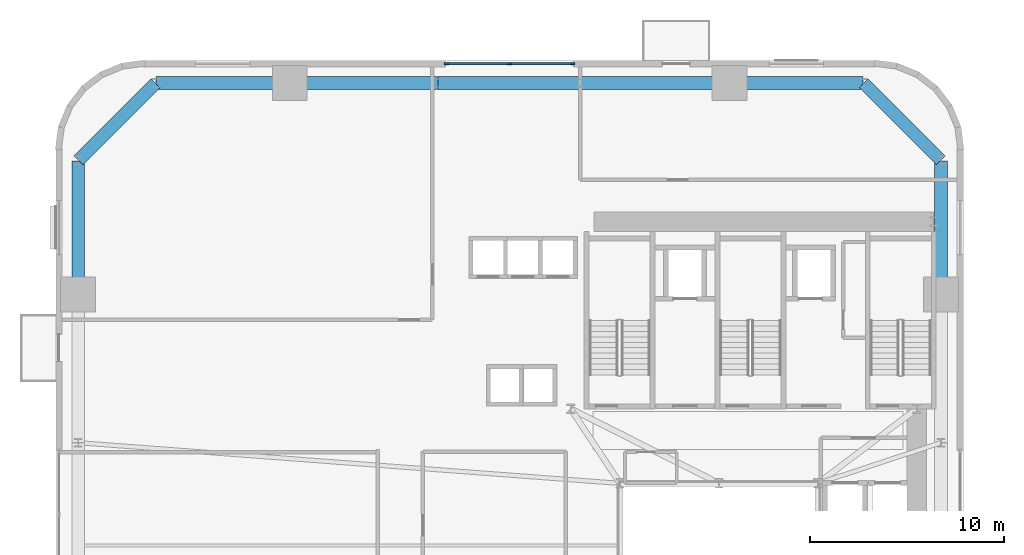
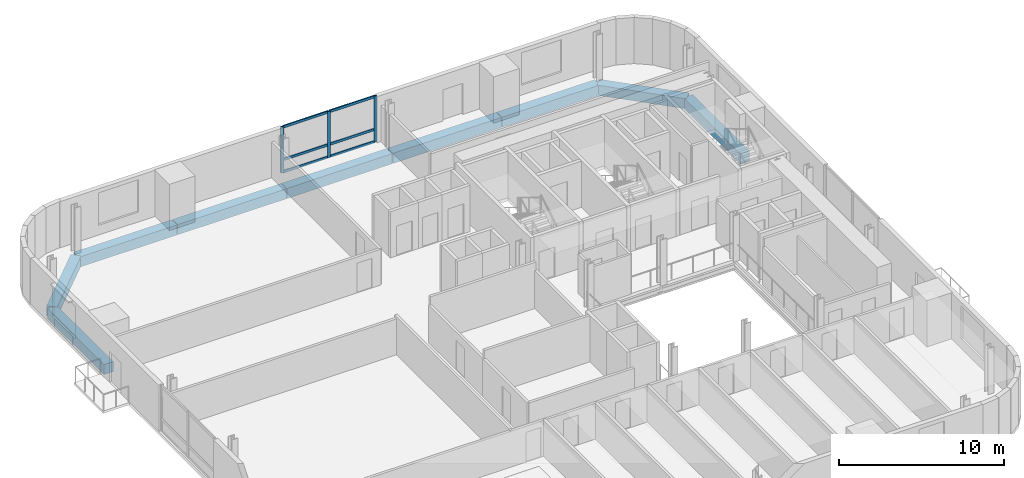
# One storey, part 4 of 13: 9 beams, 9 members, 1 element without a shape of its own.
"""IFC4 building model written with IfcOpenShell, lengths in metres."""

import ifcopenshell
import ifcopenshell.guid

model = None  # the IFC model being written
_history = None  # IfcOwnerHistory: only IFC2X3 demands one
_inside = {}  # id of a spatial element -> (the spatial element, [elements in it])
_under = {}  # id of a project, library or spatial element -> (it, [spatial elements below it])
_declared = {}  # id of a project -> (the project, [libraries it declares])
_typed = {}  # id of a type object -> (the type object, [elements of that type])
_made_of = {}  # id of a material, layer set ... -> (it, [elements and type objects made of it])


def new_model(schema):
    """Start an empty IFC model of exactly this schema.

    Asked for "IFC4X3", IfcOpenShell would pick the latest addendum, in which some entities
    have other attributes; the version numbers below select the first issue.
    IFC2X3 requires an IfcOwnerHistory on every rooted entity: one is made here for all.
    """
    global model, _history
    if schema == "IFC4X3":
        model = ifcopenshell.file(schema_version=(4, 3, 0, 0))
    else:
        model = ifcopenshell.file(schema=schema)
    _inside.clear()
    _under.clear()
    _declared.clear()
    _typed.clear()
    _made_of.clear()
    _history = None
    if model.schema == "IFC2X3":
        org = make("IfcOrganization", Name="unknown")
        user = make(
            "IfcPersonAndOrganization",
            ThePerson=make("IfcPerson", FamilyName="unknown"),
            TheOrganization=org,
        )
        app = make(
            "IfcApplication",
            ApplicationDeveloper=org,
            Version="unknown",
            ApplicationFullName="unknown",
            ApplicationIdentifier="unknown",
        )
        _history = make(
            "IfcOwnerHistory",
            OwningUser=user,
            OwningApplication=app,
            ChangeAction="ADDED",
            CreationDate=0,
        )
    return model


def make(cls, **values):
    """One entity of the class cls with the attributes given. An attribute that is None is left unset."""
    return model.create_entity(
        cls, **{name: value for name, value in values.items() if value is not None}
    )


def rooted(cls, **values):
    """An entity with a GlobalId (a new one), such as an element, a storey or a relation."""
    return make(cls, GlobalId=ifcopenshell.guid.new(), OwnerHistory=_history, **values)


def si_unit(unit_type, name, prefix=None):
    """IfcSIUnit, for example si_unit("LENGTHUNIT", "METRE", prefix="MILLI")."""
    return make("IfcSIUnit", UnitType=unit_type, Prefix=prefix, Name=name)


def assignment(units):
    """IfcUnitAssignment: the units of a project."""
    return None if units is None else make("IfcUnitAssignment", Units=units)


def point(xyz):
    """IfcCartesianPoint."""
    return None if xyz is None else make("IfcCartesianPoint", Coordinates=xyz)


def direction(xyz):
    """IfcDirection."""
    return None if xyz is None else make("IfcDirection", DirectionRatios=xyz)


def frame(location, z_axis=None, x_axis=None):
    """IfcAxis2Placement3D, a coordinate frame: its origin and axes. An axis left out is left unset."""
    return make(
        "IfcAxis2Placement3D",
        Location=point(location),
        Axis=direction(z_axis),
        RefDirection=direction(x_axis),
    )


def frame_2d(location, x_axis=None):
    """IfcAxis2Placement2D, a coordinate frame in the plane: its origin and x axis."""
    return make(
        "IfcAxis2Placement2D", Location=point(location), RefDirection=direction(x_axis)
    )


def origin():
    """The frame at (0, 0, 0) with its axes left unset."""
    return frame((0.0, 0.0, 0.0))


def origin_2d():
    """The frame at (0, 0) in the plane with its x axis left unset."""
    return frame_2d((0.0, 0.0))


def place(relative_to, where):
    """IfcLocalPlacement: puts the frame where relative to a parent placement (None: the world)."""
    return make(
        "IfcLocalPlacement", PlacementRelTo=relative_to, RelativePlacement=where
    )


def context(
    kind, dimensions, precision=None, world=None, true_north=None, identifier=None
):
    """IfcGeometricRepresentationContext, for example the 3D "Model" context."""
    return make(
        "IfcGeometricRepresentationContext",
        ContextIdentifier=identifier,
        ContextType=kind,
        CoordinateSpaceDimension=dimensions,
        Precision=precision,
        WorldCoordinateSystem=world,
        TrueNorth=true_north,
    )


def subcontext(parent, identifier, kind, view, scale=None):
    """IfcGeometricRepresentationSubContext, for example "Body" below "Model"."""
    return make(
        "IfcGeometricRepresentationSubContext",
        ContextIdentifier=identifier,
        ContextType=kind,
        ParentContext=parent,
        TargetScale=scale,
        TargetView=view,
    )


def project(units=None, contexts=None):
    """IfcProject with its units and contexts."""
    return rooted(
        "IfcProject",
        Name="project",
        RepresentationContexts=contexts,
        UnitsInContext=assignment(units),
    )


def spatial(cls, under=None, at=None, **own):
    """A site, building, storey or space (cls), placed at a placement, below another one or the project."""
    s = rooted(cls, ObjectPlacement=at, **own)
    if under is not None:
        _under.setdefault(under.id(), (under, []))[1].append(s)
    return s


def profile(cls, at=None, kind="AREA", **sizes):
    """A parametric profile (cls). Its sizes go by their IFC names, for example OverallWidth=200.0."""
    return make(cls, ProfileType=kind, Position=at, **sizes)


def rectangle(**sizes):
    """IfcRectangleProfileDef."""
    return profile("IfcRectangleProfileDef", **sizes)


def extrude(swept, where, along, depth):
    """IfcExtrudedAreaSolid: the profile swept, set in the frame where, extruded along a direction by depth."""
    return make(
        "IfcExtrudedAreaSolid",
        SweptArea=swept,
        Position=where,
        ExtrudedDirection=direction(along),
        Depth=depth,
    )


def shape(context_of_items, identifier, shape_type, items):
    """IfcShapeRepresentation: the items that make up one representation, for example the "Body"."""
    return make(
        "IfcShapeRepresentation",
        ContextOfItems=context_of_items,
        RepresentationIdentifier=identifier,
        RepresentationType=shape_type,
        Items=items,
    )


def source(mapping_origin, context_of_items, identifier, shape_type, items):
    """IfcRepresentationMap: a shape defined once, which mapped items show again and again."""
    return make(
        "IfcRepresentationMap",
        MappingOrigin=mapping_origin,
        MappedRepresentation=shape(context_of_items, identifier, shape_type, items),
    )


def transform(
    local_origin,
    x_axis=None,
    y_axis=None,
    z_axis=None,
    scale=None,
    scale2=None,
    scale3=None,
    uniform=True,
):
    """IfcCartesianTransformationOperator3D, or its non-uniform kind. x_axis, y_axis, z_axis: its Axis1, 2, 3."""
    if uniform:
        return make(
            "IfcCartesianTransformationOperator3D",
            Axis1=direction(x_axis),
            Axis2=direction(y_axis),
            LocalOrigin=point(local_origin),
            Scale=scale,
            Axis3=direction(z_axis),
        )
    return make(
        "IfcCartesianTransformationOperator3DnonUniform",
        Axis1=direction(x_axis),
        Axis2=direction(y_axis),
        LocalOrigin=point(local_origin),
        Scale=scale,
        Axis3=direction(z_axis),
        Scale2=scale2,
        Scale3=scale3,
    )


def mapped(mapping_source, mapping_target):
    """IfcMappedItem: shows the shape of a source again, moved by a transform."""
    return make(
        "IfcMappedItem", MappingSource=mapping_source, MappingTarget=mapping_target
    )


def material(Name=None, Category=None):
    """IfcMaterial."""
    return make("IfcMaterial", Name=Name, Category=Category)


def material_profile(
    of_material, cross_section, Name=None, Category=None, Priority=None
):
    """IfcMaterialProfile: a cross section and its material."""
    return make(
        "IfcMaterialProfile",
        Name=Name,
        Material=of_material,
        Profile=cross_section,
        Priority=Priority,
        Category=Category,
    )


def profile_set(profiles, Name=None, composite=None):
    """IfcMaterialProfileSet."""
    return make(
        "IfcMaterialProfileSet",
        Name=Name,
        MaterialProfiles=profiles,
        CompositeProfile=composite,
    )


def made_of(thing, what):
    """Note that an element or type object is made of a material, layer set ...; save() writes the relation."""
    if what is not None:
        _made_of.setdefault(what.id(), (what, []))[1].append(thing)
    return thing


def type_object(cls, material=None, **own):
    """A type object (cls), such as IfcWallType, which elements share."""
    return made_of(rooted(cls, **own), material)


def element(
    cls,
    number,
    at=None,
    inside=None,
    cuts=None,
    type_object=None,
    material=None,
    context=None,
    identifier="Body",
    shape_type=None,
    held_by="IfcProductDefinitionShape",
    body=None,
    shapes=None,
    **own,
):
    """One element of the class cls, such as IfcWall. Its Tag is "e" and its number.

    at: its placement. inside: the storey or other place that contains it. cuts: it is an
    opening in that element (IfcRelVoidsElement). A single representation is given by context,
    identifier, shape_type and body (its items); several are given by shapes. held_by: the class
    of the entity that holds the representations. save() writes the other relations.
    """
    e = rooted(cls, Tag="e%d" % number, ObjectPlacement=at, **own)
    if body is not None:
        shapes = [shape(context, identifier, shape_type, body)]
    if shapes is not None:
        e.Representation = make(held_by, Representations=shapes)
    if inside is not None:
        _inside.setdefault(inside.id(), (inside, []))[1].append(e)
    if cuts is not None:
        rooted(
            "IfcRelVoidsElement", RelatingBuildingElement=cuts, RelatedOpeningElement=e
        )
    if type_object is not None:
        _typed.setdefault(type_object.id(), (type_object, []))[1].append(e)
    return made_of(e, material)


def aggregate(whole, parts):
    """IfcRelAggregates: a whole, such as a stair, and the parts it consists of."""
    return rooted("IfcRelAggregates", RelatingObject=whole, RelatedObjects=parts)


def save(model, path):
    """Write the relations noted so far, then the file.

    IfcRelAggregates (storeys below a building ...), IfcRelContainedInSpatialStructure (elements
    in a storey), IfcRelDefinesByType, IfcRelAssociatesMaterial and IfcRelDeclares: one each for
    every whole, place, type object, material and project.
    """
    for whole, parts in _under.values():
        aggregate(whole, parts)
    for where, things in _inside.values():
        rooted(
            "IfcRelContainedInSpatialStructure",
            RelatedElements=things,
            RelatingStructure=where,
        )
    for kind, things in _typed.values():
        rooted("IfcRelDefinesByType", RelatedObjects=things, RelatingType=kind)
    for what, things in _made_of.values():
        rooted("IfcRelAssociatesMaterial", RelatedObjects=things, RelatingMaterial=what)
    for by, libraries in _declared.values():
        rooted("IfcRelDeclares", RelatingContext=by, RelatedDefinitions=libraries)
    model.write(path)


model = new_model("IFC4")

# Units and contexts
model_context = context("Model", 3, precision=1e-05, world=origin(), true_north=direction((0.0, 1.0)))
body_context = subcontext(model_context, "Body", "Model", "MODEL_VIEW")
ifc_project = project(units=[si_unit("LENGTHUNIT", "METRE"), si_unit("AREAUNIT", "SQUARE_METRE"), si_unit("VOLUMEUNIT", "CUBIC_METRE"), si_unit("PLANEANGLEUNIT", "RADIAN"), si_unit("MASSUNIT", "GRAM", prefix="KILO")], contexts=[model_context])

# Site, building, storey
site_placement = place(None, origin())
site = spatial("IfcSite", under=ifc_project, at=site_placement, CompositionType="ELEMENT")
building_placement = place(site_placement, origin())
building = spatial("IfcBuilding", under=site, at=building_placement, Name="Vardaveli Station Tower", CompositionType="ELEMENT")
storey_placement = place(building_placement, frame((0.0, 0.0, 64.10009765625)))
storey = spatial("IfcBuildingStorey", under=building, at=storey_placement, Name="L16", CompositionType="ELEMENT", Elevation=64.10009765625)

# Beams
ifc_material_1 = material(Name="Precast concrete C45/55", Category="concrete")
ifc_material_profile_1 = material_profile(ifc_material_1, rectangle(XDim=0.64990234375, YDim=0.75, at=origin_2d()), Name="LPB 650x750")
ifc_profile_set_1 = profile_set([ifc_material_profile_1], Name="Precast concrete C45/55")
beam_type = type_object("IfcBeamType", Name="BM-LPB-750", PredefinedType="BEAM", material=ifc_profile_set_1)
shared_shape_1 = source(origin(), body_context, "Body", "SweptSolid", [
    extrude(rectangle(XDim=0.64990234375, YDim=0.75, at=origin_2d()), origin(), (0.0, 0.0, 1.0), 7.60009765625),
])
for number, where, z_axis, x_axis, name in (
    (1, (36.820068359375, 47.449951171875, -0.614990234375), (-1.0, 0.0, 0.0), (0.0, -1.0, 0.0), "RBM-L16-13"),
    (2, (21.780029296875, 47.449951171875, -0.614990234375), (-1.0, 0.0, 0.0), (0.0, -1.0, 0.0), "RBM-L16-15"),
):
    element("IfcBeam", number, at=place(storey_placement, frame(where, z_axis=z_axis, x_axis=x_axis)), inside=storey, type_object=beam_type, Name=name, PredefinedType="BEAM", context=body_context, shape_type="MappedRepresentation", body=[
        mapped(shared_shape_1, transform((0.0, 0.0, 0.0), scale=1.0)),
    ])
shared_shape_2 = source(origin(), body_context, "Body", "SweptSolid", [
    extrude(rectangle(XDim=0.64990234375, YDim=0.75, at=origin_2d()), origin(), (0.0, 0.0, 1.0), 7.35986328125),
])
beam_placement = place(storey_placement, frame((29.179931640625, 47.449951171875, -0.614990234375), z_axis=(-1.0, 0.0, 0.0), x_axis=(0.0, -1.0, 0.0)))
element("IfcBeam", 3, at=beam_placement, inside=storey, type_object=beam_type, Name="RBM-L16-14", PredefinedType="BEAM", context=body_context, shape_type="MappedRepresentation", body=[
    mapped(shared_shape_2, transform((0.0, 0.0, 0.0), scale=1.0)),
])
shared_shape_3 = source(origin(), body_context, "Body", "SweptSolid", [
    extrude(rectangle(XDim=0.64990234375, YDim=0.75, at=origin_2d()), origin(), (0.0, 0.0, 1.0), 6.869873046875),
])
for number, where, z_axis, x_axis, name in (
    (4, (47.75, 36.56005859375, -0.614990234375), (0.0, 1.0, 0.0), (-1.0, 0.0, 0.0), "RBM-L16-10"),
    (5, (43.72998046875, 47.449951171875, -0.614990234375), (-1.0, 0.0, 0.0), (0.0, -1.0, 0.0), "RBM-L16-12"),
    (6, (14.139892578125, 47.449951171875, -0.614990234375), (-1.0, 0.0, 0.0), (0.0, -1.0, 0.0), "RBM-L16-16"),
    (7, (3.25, 43.429931640625, -0.614990234375), (0.0, -1.0, 0.0), (1.0, 0.0, 0.0), "RBM-L16-18"),
):
    element("IfcBeam", number, at=place(storey_placement, frame(where, z_axis=z_axis, x_axis=x_axis)), inside=storey, type_object=beam_type, Name=name, PredefinedType="BEAM", context=body_context, shape_type="MappedRepresentation", body=[
        mapped(shared_shape_3, transform((0.0, 0.0, 0.0), scale=1.0)),
    ])
shared_shape_4 = source(origin(), body_context, "Body", "SweptSolid", [
    extrude(rectangle(XDim=0.64990234375, YDim=0.75, at=origin_2d()), origin(), (0.0, 0.0, 1.0), 5.61669921875),
])
for number, where, z_axis, x_axis, name in (
    (8, (47.73583984375, 43.464111328125, -0.614990234375), (-0.707106781187, 0.707106781187, 0.0), (-0.707106781187, -0.707106781187, 0.0), "RBM-L16-11"),
    (9, (7.23583984375, 47.435791015625, -0.614990234375), (-0.707106781187, -0.707106781187, 0.0), (0.707106781187, -0.707106781187, 0.0), "RBM-L16-17"),
):
    element("IfcBeam", number, at=place(storey_placement, frame(where, z_axis=z_axis, x_axis=x_axis)), inside=storey, type_object=beam_type, Name=name, PredefinedType="BEAM", context=body_context, shape_type="MappedRepresentation", body=[
        mapped(shared_shape_4, transform((0.0, 0.0, 0.0), scale=1.0)),
    ])

# Curtain wall, members
ifc_material_2 = material(Name="Travertine stone and solar-control glass", Category="masonry")
curtain_wall_type = type_object("IfcCurtainWallType", Name="CW-SYS-2", PredefinedType="NOTDEFINED", material=ifc_material_2)
curtain_wall_placement = place(storey_placement, origin())
curtain_wall = element("IfcCurtainWall", 10, at=curtain_wall_placement, inside=storey, type_object=curtain_wall_type, Name="CW-L16-N", PredefinedType="NOTDEFINED")
ifc_material_3 = material(Name="Anodised aluminium alloy 6063-T6", Category="aluminium")
ifc_material_profile_2 = material_profile(ifc_material_3, rectangle(XDim=0.0849609375, YDim=0.219970703125, at=origin_2d()), Name="CWM 85x220")
ifc_profile_set_2 = profile_set([ifc_material_profile_2], Name="Anodised aluminium alloy 6063-T6")
member_type_1 = type_object("IfcMemberType", Name="CW-SYS-2-MULL", PredefinedType="MULLION", material=ifc_profile_set_2)
shared_shape_5 = source(origin(), body_context, "Body", "SweptSolid", [
    extrude(rectangle(XDim=0.0849609375, YDim=0.219970703125, at=origin_2d()), origin(), (0.0, 0.0, 1.0), 3.409912109375),
])
member_1_placement = place(storey_placement, frame((28.757568359375, 48.43994140625, 0.0), z_axis=(0.0, 0.0, 1.0), x_axis=(0.0, -1.0, 0.0)))
member_1 = element("IfcMember", 11, at=member_1_placement, type_object=member_type_1, Name="CW-2 mullion 1", PredefinedType="MULLION", context=body_context, shape_type="MappedRepresentation", body=[
    mapped(shared_shape_5, transform((0.0, 0.0, 0.0), scale=1.0)),
])
member_2_placement = place(storey_placement, frame((25.5, 48.43994140625, 0.0), z_axis=(0.0, 0.0, 1.0), x_axis=(0.0, -1.0, 0.0)))
member_2 = element("IfcMember", 12, at=member_2_placement, type_object=member_type_1, Name="CW-2 mullion 2", PredefinedType="MULLION", context=body_context, shape_type="MappedRepresentation", body=[
    mapped(shared_shape_5, transform((0.0, 0.0, 0.0), scale=1.0)),
])
member_3_placement = place(storey_placement, frame((22.242431640625, 48.43994140625, 0.0), z_axis=(0.0, 0.0, 1.0), x_axis=(0.0, -1.0, 0.0)))
member_3 = element("IfcMember", 13, at=member_3_placement, type_object=member_type_1, Name="CW-2 mullion 3", PredefinedType="MULLION", context=body_context, shape_type="MappedRepresentation", body=[
    mapped(shared_shape_5, transform((0.0, 0.0, 0.0), scale=1.0)),
])
ifc_material_profile_3 = material_profile(ifc_material_3, rectangle(XDim=0.0849609375, YDim=0.179931640625, at=origin_2d()), Name="CWT 85x180")
ifc_profile_set_3 = profile_set([ifc_material_profile_3], Name="Anodised aluminium alloy 6063-T6")
member_type_2 = type_object("IfcMemberType", Name="CW-SYS-2-TRAN", PredefinedType="NOTDEFINED", material=ifc_profile_set_3)
shared_shape_6 = source(origin(), body_context, "Body", "SweptSolid", [
    extrude(rectangle(XDim=0.0849609375, YDim=0.179931640625, at=origin_2d()), origin(), (0.0, 0.0, 1.0), 3.172607421875),
])
member_4_placement = place(storey_placement, frame((28.715087890625, 48.43994140625, 0.04248046875), z_axis=(-1.0, 0.0, 0.0), x_axis=(0.0, -1.0, 0.0)))
member_4 = element("IfcMember", 14, at=member_4_placement, type_object=member_type_2, Name="CW-2 transom 1.1", ObjectType="TRANSOM", PredefinedType="USERDEFINED", context=body_context, shape_type="MappedRepresentation", body=[
    mapped(shared_shape_6, transform((0.0, 0.0, 0.0), scale=1.0)),
])
member_5_placement = place(storey_placement, frame((28.715087890625, 48.43994140625, 0.949951171875), z_axis=(-1.0, 0.0, 0.0), x_axis=(0.0, -1.0, 0.0)))
member_5 = element("IfcMember", 15, at=member_5_placement, type_object=member_type_2, Name="CW-2 transom 1.2", ObjectType="TRANSOM", PredefinedType="USERDEFINED", context=body_context, shape_type="MappedRepresentation", body=[
    mapped(shared_shape_6, transform((0.0, 0.0, 0.0), scale=1.0)),
])
member_6_placement = place(storey_placement, frame((28.715087890625, 48.43994140625, 3.367431640625), z_axis=(-1.0, 0.0, 0.0), x_axis=(0.0, -1.0, 0.0)))
member_6 = element("IfcMember", 16, at=member_6_placement, type_object=member_type_2, Name="CW-2 transom 1.3", ObjectType="TRANSOM", PredefinedType="USERDEFINED", context=body_context, shape_type="MappedRepresentation", body=[
    mapped(shared_shape_6, transform((0.0, 0.0, 0.0), scale=1.0)),
])
member_7_placement = place(storey_placement, frame((25.45751953125, 48.43994140625, 0.04248046875), z_axis=(-1.0, 0.0, 0.0), x_axis=(0.0, -1.0, 0.0)))
member_7 = element("IfcMember", 17, at=member_7_placement, type_object=member_type_2, Name="CW-2 transom 2.1", ObjectType="TRANSOM", PredefinedType="USERDEFINED", context=body_context, shape_type="MappedRepresentation", body=[
    mapped(shared_shape_6, transform((0.0, 0.0, 0.0), scale=1.0)),
])
member_8_placement = place(storey_placement, frame((25.45751953125, 48.43994140625, 0.949951171875), z_axis=(-1.0, 0.0, 0.0), x_axis=(0.0, -1.0, 0.0)))
member_8 = element("IfcMember", 18, at=member_8_placement, type_object=member_type_2, Name="CW-2 transom 2.2", ObjectType="TRANSOM", PredefinedType="USERDEFINED", context=body_context, shape_type="MappedRepresentation", body=[
    mapped(shared_shape_6, transform((0.0, 0.0, 0.0), scale=1.0)),
])
member_9_placement = place(storey_placement, frame((25.45751953125, 48.43994140625, 3.367431640625), z_axis=(-1.0, 0.0, 0.0), x_axis=(0.0, -1.0, 0.0)))
member_9 = element("IfcMember", 19, at=member_9_placement, type_object=member_type_2, Name="CW-2 transom 2.3", ObjectType="TRANSOM", PredefinedType="USERDEFINED", context=body_context, shape_type="MappedRepresentation", body=[
    mapped(shared_shape_6, transform((0.0, 0.0, 0.0), scale=1.0)),
])
aggregate(curtain_wall, [member_1, member_2, member_3, member_4, member_5, member_6, member_7, member_8, member_9])

save(model, "model.ifc")
